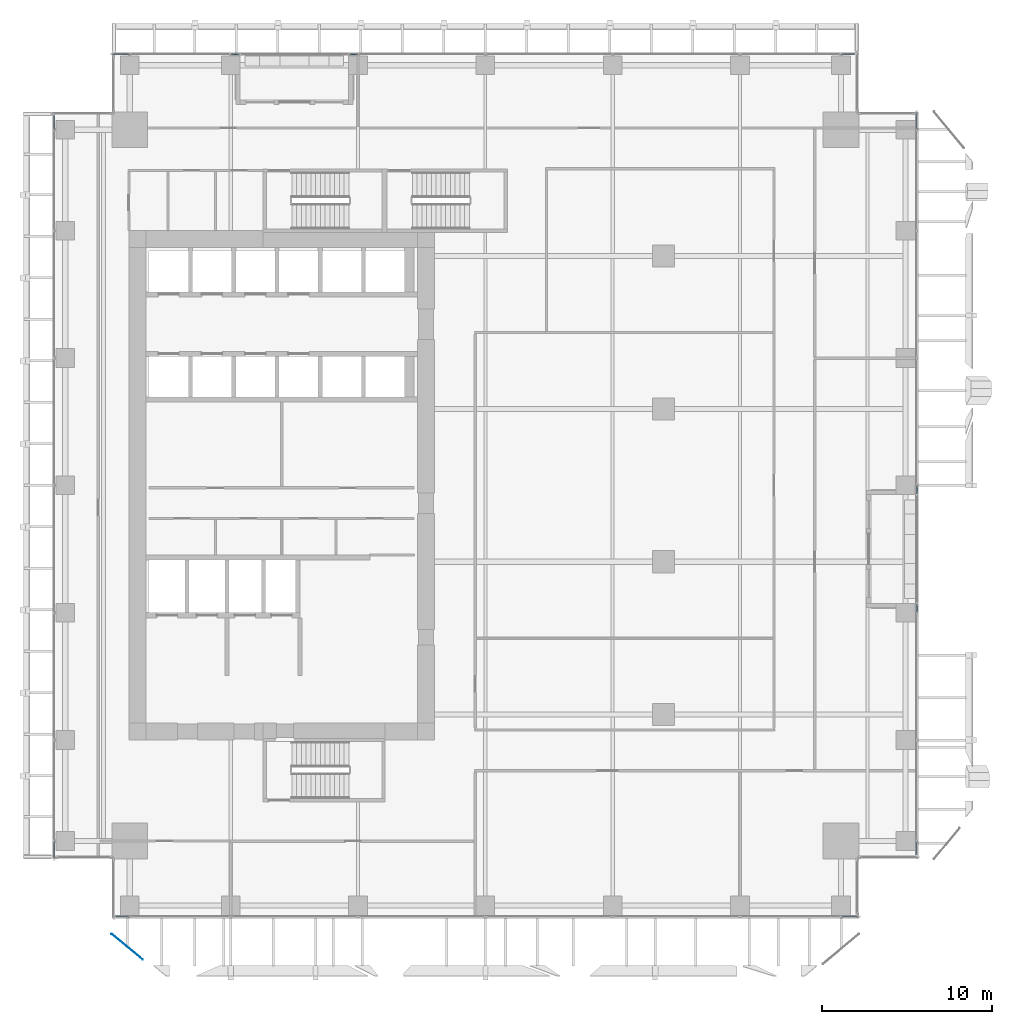
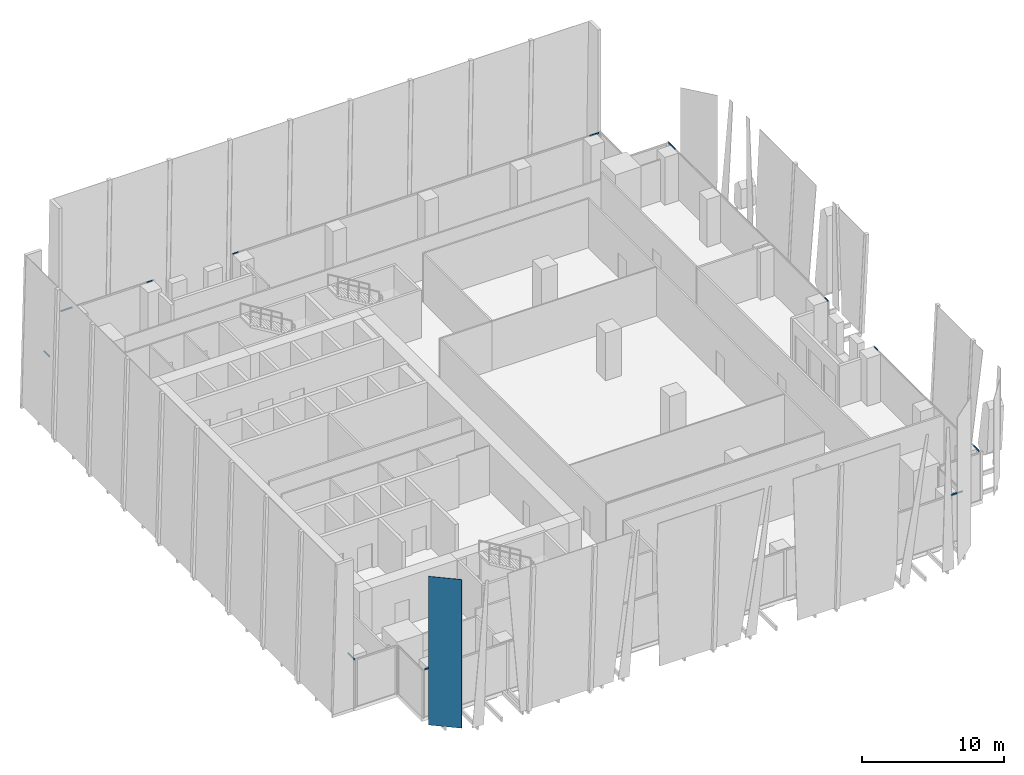
# One storey, part 22 of 36: 12 members, 1 plate, 6 elements without a shape of their own.
"""IFC4 building model written with IfcOpenShell, lengths in metres."""

from ifc_helpers import new_model, si_unit, direction, frame, origin, origin_2d, place, context, subcontext, project, spatial, polyline, hollow_rectangle, outline, extrude, source, transform, mapped, material, layer, layer_set, material_profile, profile_set, type_object, element, aggregate, save


model = new_model("IFC4")

# Units and contexts
model_context = context("Model", 3, precision=1e-05, world=origin(), true_north=direction((0.0, 1.0)))
body_context = subcontext(model_context, "Body", "Model", "MODEL_VIEW")
ifc_project = project(units=[si_unit("LENGTHUNIT", "METRE"), si_unit("AREAUNIT", "SQUARE_METRE"), si_unit("VOLUMEUNIT", "CUBIC_METRE"), si_unit("PLANEANGLEUNIT", "RADIAN"), si_unit("MASSUNIT", "GRAM", prefix="KILO")], contexts=[model_context])

# Site, building, storey
site_placement = place(None, origin())
site = spatial("IfcSite", under=ifc_project, at=site_placement, CompositionType="ELEMENT")
building_placement = place(site_placement, origin())
building = spatial("IfcBuilding", under=site, at=building_placement, Name="Khomas Fold Tower", CompositionType="ELEMENT")
storey_placement = place(building_placement, frame((0.0, 0.0, 141.10009765625)))
storey = spatial("IfcBuildingStorey", under=building, at=storey_placement, Name="L30", CompositionType="ELEMENT", Elevation=141.10009765625)

# Curtain wall, member
ifc_material_1 = material(Name="Aluminium framed double glazing", Category="aluminium")
curtain_wall_type = type_object("IfcCurtainWallType", Name="SK-Unitised clear-glass wall, growing floors CW1", PredefinedType="NOTDEFINED", material=ifc_material_1)
curtain_wall_1_placement = place(storey_placement, origin())
curtain_wall_1 = element("IfcCurtainWall", 1, at=curtain_wall_1_placement, inside=storey, type_object=curtain_wall_type, Name="CW1 run L30 00-0", PredefinedType="NOTDEFINED")
ifc_material_2 = material(Name="Aluminium", Category="aluminium")
ifc_material_profile = material_profile(ifc_material_2, hollow_rectangle(XDim=0.06005859375, YDim=0.1201171875, WallThickness=0.00390625, at=origin_2d()), Name="SK-Unitised clear-glass wall, growing floors transom CW1-T")
ifc_profile_set = profile_set([ifc_material_profile], Name="Aluminium")
member_type = type_object("IfcMemberType", Name="SK-Unitised clear-glass wall, growing floors transom CW1-T", PredefinedType="USERDEFINED", material=ifc_profile_set)
shared_shape_1 = source(origin(), body_context, "Body", "SweptSolid", [
    extrude(hollow_rectangle(XDim=0.06005859375, YDim=0.1201171875, WallThickness=0.00390625, at=origin_2d()), origin(), (0.0, 0.0, 1.0), 0.760009765625),
])
member_1_placement = place(storey_placement, frame((5.260009765625, 1.60009765625, 4.039794921875), z_axis=(1.0, 0.0, 0.0), x_axis=(0.0, 1.0, 0.0)))
member_1 = element("IfcMember", 2, at=member_1_placement, type_object=member_type, Name="CW1 transom 1", ObjectType="TRANSOM", PredefinedType="USERDEFINED", context=body_context, shape_type="MappedRepresentation", body=[
    mapped(shared_shape_1, transform((0.0, 0.0, 0.0))),
])

curtain_wall_2_placement = place(storey_placement, origin())
curtain_wall_2 = element("IfcCurtainWall", 3, at=curtain_wall_2_placement, inside=storey, type_object=curtain_wall_type, Name="CW1 run L30 03-0", PredefinedType="NOTDEFINED")
member_2_placement = place(storey_placement, frame((52.39990234375, 5.260009765625, 4.039794921875), z_axis=(0.0, 1.0, 0.0), x_axis=(-1.0, 0.0, 0.0)))
member_2 = element("IfcMember", 4, at=member_2_placement, type_object=member_type, Name="CW1 transom 1", ObjectType="TRANSOM", PredefinedType="USERDEFINED", context=body_context, shape_type="MappedRepresentation", body=[
    mapped(shared_shape_1, transform((0.0, 0.0, 0.0))),
])

curtain_wall_3_placement = place(storey_placement, origin())
curtain_wall_3 = element("IfcCurtainWall", 5, at=curtain_wall_3_placement, inside=storey, type_object=curtain_wall_type, Name="CW1 run L30 06-0", PredefinedType="NOTDEFINED")
member_3_placement = place(storey_placement, frame((48.739990234375, 52.39990234375, 4.039794921875), z_axis=(-1.0, 0.0, 0.0), x_axis=(0.0, -1.0, 0.0)))
member_3 = element("IfcMember", 6, at=member_3_placement, type_object=member_type, Name="CW1 transom 1", ObjectType="TRANSOM", PredefinedType="USERDEFINED", context=body_context, shape_type="MappedRepresentation", body=[
    mapped(shared_shape_1, transform((0.0, 0.0, 0.0))),
])

curtain_wall_4_placement = place(storey_placement, origin())
curtain_wall_4 = element("IfcCurtainWall", 7, at=curtain_wall_4_placement, inside=storey, type_object=curtain_wall_type, Name="CW1 run L30 09-0", PredefinedType="NOTDEFINED")
member_4_placement = place(storey_placement, frame((1.60009765625, 48.739990234375, 4.039794921875), z_axis=(0.0, -1.0, 0.0), x_axis=(1.0, 0.0, 0.0)))
member_4 = element("IfcMember", 8, at=member_4_placement, type_object=member_type, Name="CW1 transom 1", ObjectType="TRANSOM", PredefinedType="USERDEFINED", context=body_context, shape_type="MappedRepresentation", body=[
    mapped(shared_shape_1, transform((0.0, 0.0, 0.0))),
])

# Member
shared_shape_2 = source(origin(), body_context, "Body", "SweptSolid", [
    extrude(hollow_rectangle(XDim=0.06005859375, YDim=0.1201171875, WallThickness=0.00390625, at=origin_2d()), origin(), (0.0, 0.0, 1.0), 0.9599609375),
])
member_5_placement = place(storey_placement, frame((47.97998046875, 1.60009765625, 4.039794921875), z_axis=(1.0, 0.0, 0.0), x_axis=(0.0, 1.0, 0.0)))
member_5 = element("IfcMember", 9, at=member_5_placement, type_object=member_type, Name="CW1 transom 8", ObjectType="TRANSOM", PredefinedType="USERDEFINED", context=body_context, shape_type="MappedRepresentation", body=[
    mapped(shared_shape_2, transform((0.0, 0.0, 0.0))),
])

aggregate(curtain_wall_1, [member_1, member_5])

# Curtain wall, member
curtain_wall_5_placement = place(storey_placement, origin())
curtain_wall_5 = element("IfcCurtainWall", 10, at=curtain_wall_5_placement, inside=storey, type_object=curtain_wall_type, Name="CW1 run L30 03-1", PredefinedType="NOTDEFINED")
member_6_placement = place(storey_placement, frame((52.39990234375, 47.97998046875, 4.039794921875), z_axis=(0.0, 1.0, 0.0), x_axis=(-1.0, 0.0, 0.0)))
member_6 = element("IfcMember", 11, at=member_6_placement, type_object=member_type, Name="CW1 transom 5", ObjectType="TRANSOM", PredefinedType="USERDEFINED", context=body_context, shape_type="MappedRepresentation", body=[
    mapped(shared_shape_2, transform((0.0, 0.0, 0.0))),
])

curtain_wall_6_placement = place(storey_placement, origin())
curtain_wall_6 = element("IfcCurtainWall", 12, at=curtain_wall_6_placement, inside=storey, type_object=curtain_wall_type, Name="CW1 run L30 06-1", PredefinedType="NOTDEFINED")
member_7_placement = place(storey_placement, frame((6.02001953125, 52.39990234375, 4.039794921875), z_axis=(-1.0, 0.0, 0.0), x_axis=(0.0, -1.0, 0.0)))
member_7 = element("IfcMember", 13, at=member_7_placement, type_object=member_type, Name="CW1 transom 3", ObjectType="TRANSOM", PredefinedType="USERDEFINED", context=body_context, shape_type="MappedRepresentation", body=[
    mapped(shared_shape_2, transform((0.0, 0.0, 0.0))),
])

# Member
member_8_placement = place(storey_placement, frame((1.60009765625, 6.02001953125, 4.039794921875), z_axis=(0.0, -1.0, 0.0), x_axis=(1.0, 0.0, 0.0)))
member_8 = element("IfcMember", 14, at=member_8_placement, type_object=member_type, Name="CW1 transom 8", ObjectType="TRANSOM", PredefinedType="USERDEFINED", context=body_context, shape_type="MappedRepresentation", body=[
    mapped(shared_shape_2, transform((0.0, 0.0, 0.0))),
])

aggregate(curtain_wall_4, [member_4, member_8])

shared_shape_3 = source(origin(), body_context, "Body", "SweptSolid", [
    extrude(hollow_rectangle(XDim=0.06005859375, YDim=0.1201171875, WallThickness=0.00390625, at=origin_2d()), origin(), (0.0, 0.0, 1.0), 0.4599609375),
])
member_9_placement = place(storey_placement, frame((52.39990234375, 19.530029296875, 4.039794921875), z_axis=(0.0, 1.0, 0.0), x_axis=(-1.0, 0.0, 0.0)))
member_9 = element("IfcMember", 15, at=member_9_placement, type_object=member_type, Name="CW1 transom 4", ObjectType="TRANSOM", PredefinedType="USERDEFINED", context=body_context, shape_type="MappedRepresentation", body=[
    mapped(shared_shape_3, transform((0.0, 0.0, 0.0))),
])

aggregate(curtain_wall_2, [member_2, member_9])

member_10_placement = place(storey_placement, frame((52.39990234375, 26.510009765625, 4.039794921875), z_axis=(0.0, 1.0, 0.0), x_axis=(-1.0, 0.0, 0.0)))
member_10 = element("IfcMember", 16, at=member_10_placement, type_object=member_type, Name="CW1 transom 1", ObjectType="TRANSOM", PredefinedType="USERDEFINED", context=body_context, shape_type="MappedRepresentation", body=[
    mapped(shared_shape_3, transform((0.0, 0.0, 0.0))),
])

aggregate(curtain_wall_5, [member_10, member_6])

member_11_placement = place(storey_placement, frame((19.469970703125, 52.39990234375, 4.039794921875), z_axis=(-1.0, 0.0, 0.0), x_axis=(0.0, -1.0, 0.0)))
member_11 = element("IfcMember", 17, at=member_11_placement, type_object=member_type, Name="CW1 transom 6", ObjectType="TRANSOM", PredefinedType="USERDEFINED", context=body_context, shape_type="MappedRepresentation", body=[
    mapped(shared_shape_3, transform((0.0, 0.0, 0.0))),
])

aggregate(curtain_wall_3, [member_3, member_11])

member_12_placement = place(storey_placement, frame((12.489990234375, 52.39990234375, 4.039794921875), z_axis=(-1.0, 0.0, 0.0), x_axis=(0.0, -1.0, 0.0)))
member_12 = element("IfcMember", 18, at=member_12_placement, type_object=member_type, Name="CW1 transom 1", ObjectType="TRANSOM", PredefinedType="USERDEFINED", context=body_context, shape_type="MappedRepresentation", body=[
    mapped(shared_shape_3, transform((0.0, 0.0, 0.0))),
])

aggregate(curtain_wall_6, [member_12, member_7])

# Plate
ifc_material_3 = material(Name="Clear laminated glass", Category="glass")
ifc_layer = layer(ifc_material_3, 0.0400390625)
ifc_layer_set = layer_set([ifc_layer], Name="Clear laminated glass")
plate_type = type_object("IfcPlateType", Name="SK-Clear laminated glass leaf", PredefinedType="SHEET", material=ifc_layer_set)
plate_placement = place(storey_placement, frame((5.0, 0.60009765625, 0.0), z_axis=(0.640204559822, 0.768204479018, 0.0), x_axis=(0.0, 0.0, 1.0)))
element("IfcPlate", 19, at=plate_placement, inside=storey, type_object=plate_type, Name="OUTER SKIN glass L30 SG098-2", PredefinedType="SHEET", context=body_context, shape_type="SweptSolid", body=[
    extrude(outline(polyline([(0.0, 0.0), (12.75, 0.0), (12.75, 2.3822799462709954), (0.0, 2.3822799462709954), (0.0, 0.0)])), origin(), (0.0, 0.0, -1.0), 0.0400390625),
])

save(model, "model.ifc")
